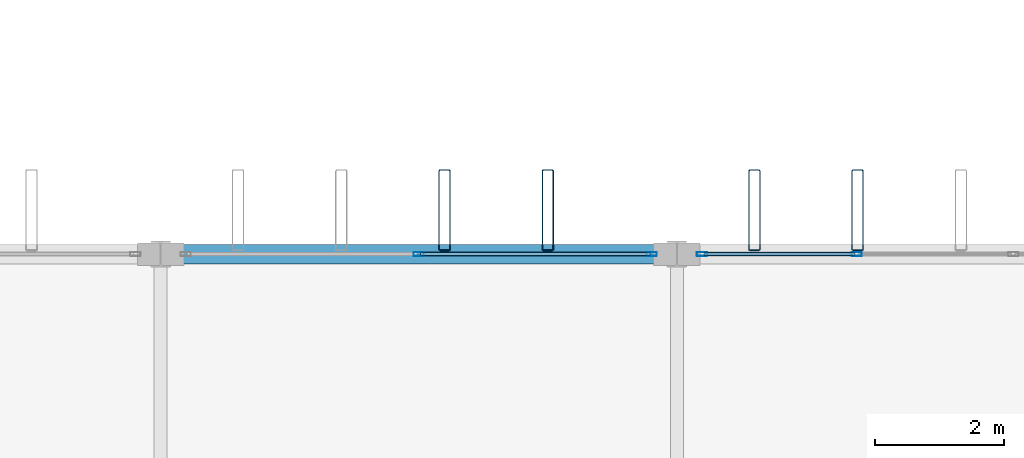
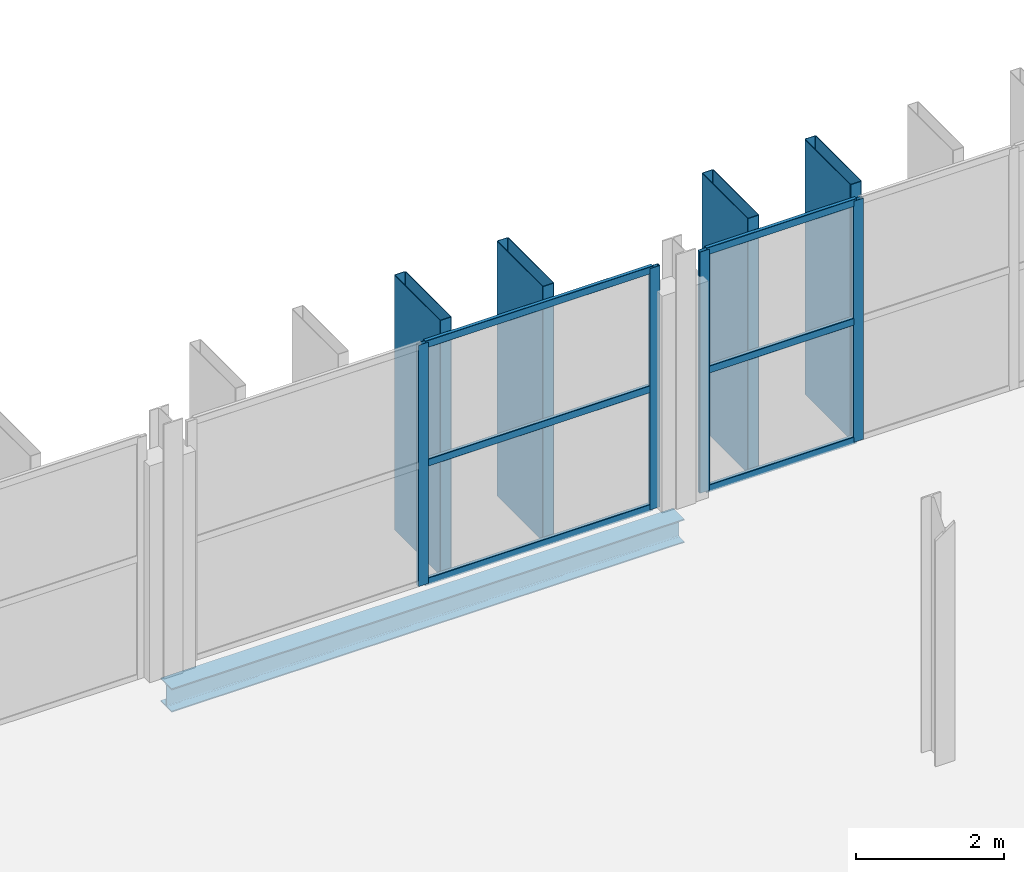
# One storey, part 43 of 101: 14 members, 1 beam, 2 elements without a shape of their own.
"""IFC4 building model written with IfcOpenShell, lengths in metres."""

from ifc_helpers import new_model, si_unit, direction, frame, origin, origin_2d, place, context, subcontext, project, spatial, hollow_rectangle, i_section, extrude, material, layer, layer_set, material_profile, profile_set, type_object, element, aggregate, save


model = new_model("IFC4")

# Units and contexts
model_context = context("Model", 3, precision=1e-05, world=origin(), true_north=direction((0.0, 1.0)))
body_context = subcontext(model_context, "Body", "Model", "MODEL_VIEW")
ifc_project = project(units=[si_unit("LENGTHUNIT", "METRE"), si_unit("AREAUNIT", "SQUARE_METRE"), si_unit("VOLUMEUNIT", "CUBIC_METRE"), si_unit("PLANEANGLEUNIT", "RADIAN"), si_unit("MASSUNIT", "GRAM", prefix="KILO")], contexts=[model_context])

# Site, building, storey
site_placement = place(None, origin())
site = spatial("IfcSite", under=ifc_project, at=site_placement, CompositionType="ELEMENT")
building_placement = place(site_placement, origin())
building = spatial("IfcBuilding", under=site, at=building_placement, Name="Vekula Escarpment Museum", CompositionType="ELEMENT")
storey_placement = place(building_placement, frame((0.0, 0.0, 18.0)))
storey = spatial("IfcBuildingStorey", under=building, at=storey_placement, Name="L04", CompositionType="ELEMENT", Elevation=18.0)

# Beam
ifc_material_1 = material(Name="Steel S355", Category="steel")
ifc_material_profile_1 = material_profile(ifc_material_1, i_section(OverallWidth=0.300048828125, OverallDepth=0.389892578125, WebThickness=0.010986328125, FlangeThickness=0.01904296875, FilletRadius=0.027099609375, at=origin_2d()), Name="HEA 400")
ifc_profile_set_1 = profile_set([ifc_material_profile_1], Name="Steel S355")
beam_type = type_object("IfcBeamType", Name="BM-SPAN-HEA400", PredefinedType="SPANDREL", material=ifc_profile_set_1)
beam_placement = place(storey_placement, frame((94.0, 90.39990234375, -0.43505859375), z_axis=(1.0, 0.0, 0.0), x_axis=(0.0, 1.0, 0.0)))
element("IfcBeam", 1, at=beam_placement, inside=storey, type_object=beam_type, Name="Beam X L04 1785", PredefinedType="SPANDREL", context=body_context, shape_type="SweptSolid", body=[
    extrude(i_section(OverallWidth=0.300048828125, OverallDepth=0.389892578125, WebThickness=0.010986328125, FlangeThickness=0.01904296875, FilletRadius=0.027099609375, at=origin_2d()), origin(), (0.0, 0.0, 1.0), 8.0),
])

# Curtain wall, members
ifc_material_2 = material(Name="Aluminium thermally broken framing", Category="aluminium")
ifc_layer_1 = layer(ifc_material_2, 0.139892578125)
ifc_layer_set_1 = layer_set([ifc_layer_1], Name="Aluminium thermally broken framing")
curtain_wall_type_1 = type_object("IfcCurtainWallType", Name="CW-SYS-06", PredefinedType="NOTDEFINED", material=ifc_layer_set_1)
curtain_wall_1_placement = place(storey_placement, origin())
curtain_wall_1 = element("IfcCurtainWall", 2, at=curtain_wall_1_placement, inside=storey, type_object=curtain_wall_type_1, Name="Curtain Wall CW-L04-156", PredefinedType="NOTDEFINED")
ifc_material_3 = material(Name="Aluminium anodized mullion", Category="aluminium")
ifc_material_profile_2 = material_profile(ifc_material_3, hollow_rectangle(XDim=0.06005859375, YDim=0.159912109375, WallThickness=0.00390625, InnerFilletRadius=0.00390625, OuterFilletRadius=0.008056640625, at=origin_2d()), Name="ALU 160x60x4")
ifc_profile_set_2 = profile_set([ifc_material_profile_2], Name="Aluminium anodized mullion")
member_type_1 = type_object("IfcMemberType", Name="CW-MUL-160", PredefinedType="MULLION", material=ifc_profile_set_2)
member_1_placement = place(storey_placement, frame((104.78662109375, 90.39990234375, 0.0), z_axis=(0.0, 0.0, 1.0), x_axis=(0.0, -1.0, 0.0)))
member_1 = element("IfcMember", 3, at=member_1_placement, type_object=member_type_1, Name="CW-06 mullion 3", PredefinedType="MULLION", context=body_context, shape_type="SweptSolid", body=[
    extrude(hollow_rectangle(XDim=0.06005859375, YDim=0.159912109375, WallThickness=0.00390625, InnerFilletRadius=0.00390625, OuterFilletRadius=0.008056640625, at=origin_2d()), origin(), (0.0, 0.0, 1.0), 3.97998046875),
])
member_2_placement = place(storey_placement, frame((102.389892578125, 90.39990234375, 0.0), z_axis=(0.0, 0.0, 1.0), x_axis=(0.0, -1.0, 0.0)))
member_2 = element("IfcMember", 4, at=member_2_placement, type_object=member_type_1, Name="CW-06 mullion 4", PredefinedType="MULLION", context=body_context, shape_type="SweptSolid", body=[
    extrude(hollow_rectangle(XDim=0.06005859375, YDim=0.159912109375, WallThickness=0.00390625, InnerFilletRadius=0.00390625, OuterFilletRadius=0.008056640625, at=origin_2d()), origin(), (0.0, 0.0, 1.0), 3.97998046875),
])

ifc_material_4 = material(Name="Aluminium thermally broken framing", Category="aluminium")
ifc_layer_2 = layer(ifc_material_4, 0.179931640625)
ifc_layer_set_2 = layer_set([ifc_layer_2], Name="Aluminium thermally broken framing")
curtain_wall_type_2 = type_object("IfcCurtainWallType", Name="CW-SYS-07", PredefinedType="NOTDEFINED", material=ifc_layer_set_2)
curtain_wall_2_placement = place(storey_placement, origin())
curtain_wall_2 = element("IfcCurtainWall", 5, at=curtain_wall_2_placement, inside=storey, type_object=curtain_wall_type_2, Name="Curtain Wall CW-L04-157", PredefinedType="NOTDEFINED")
member_3_placement = place(storey_placement, frame((101.610107421875, 90.39990234375, 0.0), z_axis=(0.0, 0.0, 1.0), x_axis=(0.0, -1.0, 0.0)))
member_3 = element("IfcMember", 6, at=member_3_placement, type_object=member_type_1, Name="CW-07 mullion 1", PredefinedType="MULLION", context=body_context, shape_type="SweptSolid", body=[
    extrude(hollow_rectangle(XDim=0.06005859375, YDim=0.159912109375, WallThickness=0.00390625, InnerFilletRadius=0.00390625, OuterFilletRadius=0.008056640625, at=origin_2d()), origin(), (0.0, 0.0, 1.0), 3.97998046875),
])
member_4_placement = place(storey_placement, frame((98.0, 90.39990234375, 0.0), z_axis=(0.0, 0.0, 1.0), x_axis=(0.0, -1.0, 0.0)))
member_4 = element("IfcMember", 7, at=member_4_placement, type_object=member_type_1, Name="CW-07 mullion 2", PredefinedType="MULLION", context=body_context, shape_type="SweptSolid", body=[
    extrude(hollow_rectangle(XDim=0.06005859375, YDim=0.159912109375, WallThickness=0.00390625, InnerFilletRadius=0.00390625, OuterFilletRadius=0.008056640625, at=origin_2d()), origin(), (0.0, 0.0, 1.0), 3.97998046875),
])

# Member
ifc_material_5 = material(Name="Aluminium anodized transom", Category="aluminium")
ifc_material_profile_3 = material_profile(ifc_material_5, hollow_rectangle(XDim=0.06005859375, YDim=0.1201171875, WallThickness=0.00390625, InnerFilletRadius=0.00390625, OuterFilletRadius=0.008056640625, at=origin_2d()), Name="ALU 120x60x4")
ifc_profile_set_3 = profile_set([ifc_material_profile_3], Name="Aluminium anodized transom")
member_type_2 = type_object("IfcMemberType", Name="CW-TRN-120", PredefinedType="USERDEFINED", material=ifc_profile_set_3)
member_5_placement = place(storey_placement, frame((104.756591796875, 90.39990234375, 0.030029296875), z_axis=(-1.0, 0.0, 0.0), x_axis=(0.0, -1.0, 0.0)))
member_5 = element("IfcMember", 8, at=member_5_placement, type_object=member_type_2, Name="CW-06 transom 3.1", ObjectType="TRANSOM", PredefinedType="USERDEFINED", context=body_context, shape_type="SweptSolid", body=[
    extrude(hollow_rectangle(XDim=0.06005859375, YDim=0.1201171875, WallThickness=0.00390625, InnerFilletRadius=0.00390625, OuterFilletRadius=0.008056640625, at=origin_2d()), origin(), (0.0, 0.0, 1.0), 2.336669921875),
])

member_6_placement = place(storey_placement, frame((104.756591796875, 90.39990234375, 1.989990234375), z_axis=(-1.0, 0.0, 0.0), x_axis=(0.0, -1.0, 0.0)))
member_6 = element("IfcMember", 9, at=member_6_placement, type_object=member_type_2, Name="CW-06 transom 3.2", ObjectType="TRANSOM", PredefinedType="USERDEFINED", context=body_context, shape_type="SweptSolid", body=[
    extrude(hollow_rectangle(XDim=0.06005859375, YDim=0.1201171875, WallThickness=0.00390625, InnerFilletRadius=0.00390625, OuterFilletRadius=0.008056640625, at=origin_2d()), origin(), (0.0, 0.0, 1.0), 2.336669921875),
])

member_7_placement = place(storey_placement, frame((104.756591796875, 90.39990234375, 3.949951171875), z_axis=(-1.0, 0.0, 0.0), x_axis=(0.0, -1.0, 0.0)))
member_7 = element("IfcMember", 10, at=member_7_placement, type_object=member_type_2, Name="CW-06 transom 3.3", ObjectType="TRANSOM", PredefinedType="USERDEFINED", context=body_context, shape_type="SweptSolid", body=[
    extrude(hollow_rectangle(XDim=0.06005859375, YDim=0.1201171875, WallThickness=0.00390625, InnerFilletRadius=0.00390625, OuterFilletRadius=0.008056640625, at=origin_2d()), origin(), (0.0, 0.0, 1.0), 2.336669921875),
])

aggregate(curtain_wall_1, [member_1, member_2, member_5, member_6, member_7])

member_8_placement = place(storey_placement, frame((101.580078125, 90.39990234375, 0.030029296875), z_axis=(-1.0, 0.0, 0.0), x_axis=(0.0, -1.0, 0.0)))
member_8 = element("IfcMember", 11, at=member_8_placement, type_object=member_type_2, Name="CW-07 transom 1.1", ObjectType="TRANSOM", PredefinedType="USERDEFINED", context=body_context, shape_type="SweptSolid", body=[
    extrude(hollow_rectangle(XDim=0.06005859375, YDim=0.1201171875, WallThickness=0.00390625, InnerFilletRadius=0.00390625, OuterFilletRadius=0.008056640625, at=origin_2d()), origin(), (0.0, 0.0, 1.0), 3.550048828125),
])

member_9_placement = place(storey_placement, frame((101.580078125, 90.39990234375, 1.989990234375), z_axis=(-1.0, 0.0, 0.0), x_axis=(0.0, -1.0, 0.0)))
member_9 = element("IfcMember", 12, at=member_9_placement, type_object=member_type_2, Name="CW-07 transom 1.2", ObjectType="TRANSOM", PredefinedType="USERDEFINED", context=body_context, shape_type="SweptSolid", body=[
    extrude(hollow_rectangle(XDim=0.06005859375, YDim=0.1201171875, WallThickness=0.00390625, InnerFilletRadius=0.00390625, OuterFilletRadius=0.008056640625, at=origin_2d()), origin(), (0.0, 0.0, 1.0), 3.550048828125),
])

member_10_placement = place(storey_placement, frame((101.580078125, 90.39990234375, 3.949951171875), z_axis=(-1.0, 0.0, 0.0), x_axis=(0.0, -1.0, 0.0)))
member_10 = element("IfcMember", 13, at=member_10_placement, type_object=member_type_2, Name="CW-07 transom 1.3", ObjectType="TRANSOM", PredefinedType="USERDEFINED", context=body_context, shape_type="SweptSolid", body=[
    extrude(hollow_rectangle(XDim=0.06005859375, YDim=0.1201171875, WallThickness=0.00390625, InnerFilletRadius=0.00390625, OuterFilletRadius=0.008056640625, at=origin_2d()), origin(), (0.0, 0.0, 1.0), 3.550048828125),
])

aggregate(curtain_wall_2, [member_3, member_4, member_8, member_9, member_10])

# Members
ifc_material_6 = material(Name="Steel S355 weathered bronze solar fin", Category="steel")
ifc_material_profile_4 = material_profile(ifc_material_6, hollow_rectangle(XDim=0.179931640625, YDim=1.25, WallThickness=0.010009765625, InnerFilletRadius=0.010009765625, OuterFilletRadius=0.02001953125, at=origin_2d()), Name="RHS 1250x180x10")
ifc_profile_set_4 = profile_set([ifc_material_profile_4], Name="Steel S355 weathered bronze solar fin")
member_type_3 = type_object("IfcMemberType", Name="MB-SOLAR-FIN", PredefinedType="USERDEFINED", material=ifc_profile_set_4)
for number, where, z_axis, x_axis, name in (
    (14, (98.39990234375, 91.080078125, 0.0), (0.0, 0.0, 1.0), (1.0, 0.0, 0.0), "Great Hall Vertical Solar Fin 0209"),
    (15, (100.0, 91.080078125, 0.0), (0.0, 0.0, 1.0), (1.0, 0.0, 0.0), "Great Hall Vertical Solar Fin 0214"),
    (16, (103.199951171875, 91.080078125, 0.0), (0.0, 0.0, 1.0), (1.0, 0.0, 0.0), "Great Hall Vertical Solar Fin 0219"),
    (17, (104.800048828125, 91.080078125, 0.0), (0.0, 0.0, 1.0), (1.0, 0.0, 0.0), "Great Hall Vertical Solar Fin 0224"),
):
    element("IfcMember", number, at=place(storey_placement, frame(where, z_axis=z_axis, x_axis=x_axis)), inside=storey, type_object=member_type_3, Name=name, ObjectType="SOLAR FIN", PredefinedType="USERDEFINED", context=body_context, shape_type="SweptSolid", body=[
        extrude(hollow_rectangle(XDim=0.179931640625, YDim=1.25, WallThickness=0.010009765625, InnerFilletRadius=0.010009765625, OuterFilletRadius=0.02001953125, at=origin_2d()), origin(), (0.0, 0.0, 1.0), 4.199951171875),
    ])

save(model, "model.ifc")
